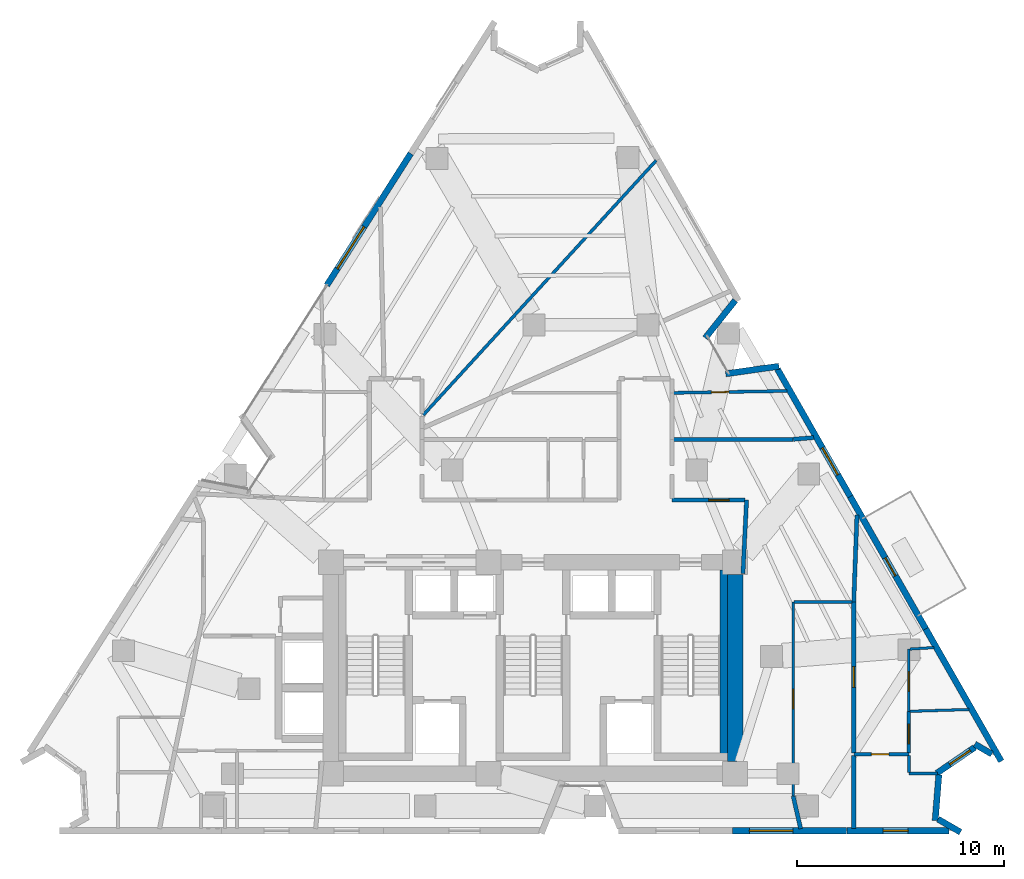
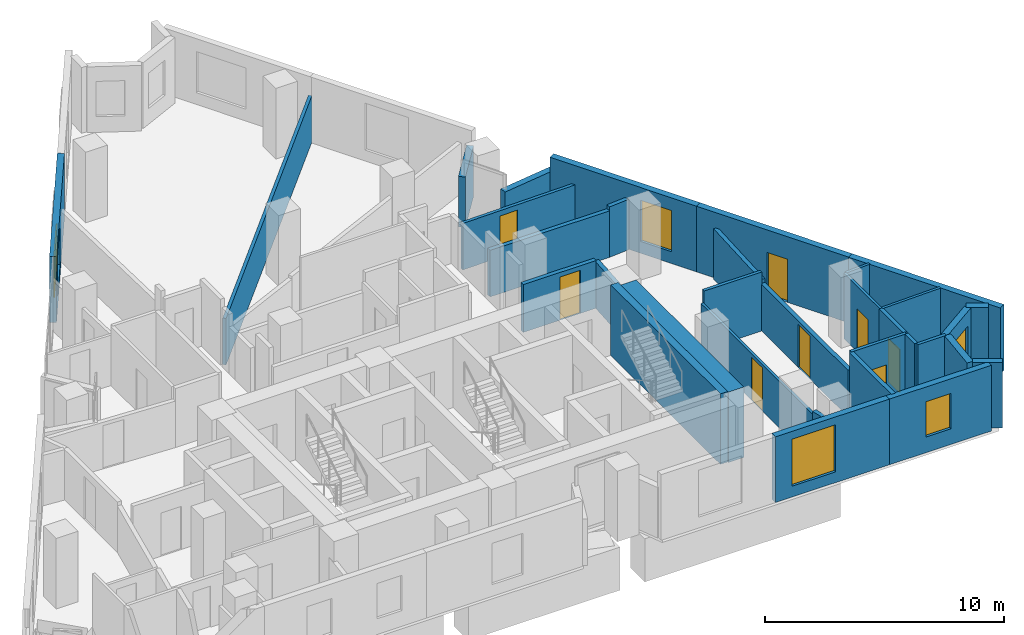
# One storey, part 9 of 12: 33 walls, 8 doors, 5 windows, 13 openings.
"""IFC4 building model written with IfcOpenShell, lengths in metres."""

from ifc_helpers import new_model, si_unit, direction, frame, frame_2d, origin, place, context, subcontext, project, spatial, rectangle, extrude, material, layer, layer_set, type_object, element, fill, save


model = new_model("IFC4")

# Units and contexts
model_context = context("Model", 3, precision=1e-05, world=origin(), true_north=direction((0.0, 1.0)))
body_context = subcontext(model_context, "Body", "Model", "MODEL_VIEW")
ifc_project = project(units=[si_unit("LENGTHUNIT", "METRE"), si_unit("AREAUNIT", "SQUARE_METRE"), si_unit("VOLUMEUNIT", "CUBIC_METRE"), si_unit("PLANEANGLEUNIT", "RADIAN"), si_unit("MASSUNIT", "GRAM", prefix="KILO")], contexts=[model_context])

# Site, building, storey
site_placement = place(None, origin())
site = spatial("IfcSite", under=ifc_project, at=site_placement, CompositionType="ELEMENT")
building_placement = place(site_placement, origin())
building = spatial("IfcBuilding", under=site, at=building_placement, Name="Almagre Mirador Tower", CompositionType="ELEMENT")
storey_placement = place(building_placement, frame((0.0, 0.0, 132.0)))
storey = spatial("IfcBuildingStorey", under=building, at=storey_placement, Name="L33", CompositionType="ELEMENT", Elevation=132.0)

# Wall, opening, window
ifc_material_1 = material(Name="Precast concrete C50/60", Category="concrete")
ifc_layer_1 = layer(ifc_material_1, 0.300048828125)
ifc_layer_set_1 = layer_set([ifc_layer_1], Name="Precast concrete C50/60")
wall_type_1 = type_object("IfcWallType", Name="WAL-EXT-300", PredefinedType="SOLIDWALL", material=ifc_layer_set_1)
wall_1_placement = place(storey_placement, frame((27.35302734375, 28.108642578125, 0.0), z_axis=(0.0, 0.0, 1.0), x_axis=(0.537126938509, 0.843501423785, 0.0)))
wall_1 = element("IfcWall", 1, at=wall_1_placement, inside=storey, type_object=wall_type_1, Name="L33 expressed almagre precast frame wall 03", PredefinedType="SOLIDWALL", context=body_context, shape_type="SweptSolid", body=[
    extrude(rectangle(XDim=7.538330078125, YDim=0.300048828125, at=frame_2d((3.76904296875, 0.0))), origin(), (0.0, 0.0, 1.0), 3.35009765625),
])
opening_1_placement = place(wall_1_placement, frame((0.949951171875, 0.0, 0.60009765625)))
opening_1 = element("IfcOpeningElement", 2, at=opening_1_placement, cuts=wall_1, Name="Opening WN-02", PredefinedType="OPENING", context=body_context, shape_type="SweptSolid", body=[
    extrude(rectangle(XDim=2.39990234375, YDim=2.10009765625, at=frame_2d((1.199951171875, 1.050048828125))), frame((0.0, 0.159902, 0.0), z_axis=(0.0, -1.0, 0.0), x_axis=(1.0, 0.0, 0.0)), (0.0, 0.0, 1.0), 0.320049),
])
ifc_material_2 = material(Name="Dark solar-control laminated hurricane glass", Category="glass")
window_type_1 = type_object("IfcWindowType", Name="WIN-2400X2100", PartitioningType="TRIPLE_PANEL_VERTICAL", PredefinedType="WINDOW", material=ifc_material_2)
window_1_placement = place(opening_1_placement, origin())
window_1 = element("IfcWindow", 3, at=window_1_placement, inside=storey, type_object=window_type_1, Name="L33 recessed hurricane window L33-UG-BT", OverallHeight=2.10009765625, OverallWidth=2.39990234375, PartitioningType="SINGLE_PANEL", PredefinedType="WINDOW", context=body_context, shape_type="SweptSolid", body=[
    extrude(rectangle(XDim=2.39990234375, YDim=2.10009765625, at=frame_2d((1.199951171875, 1.050048828125))), frame((0.0, 0.030029296875, 0.0), z_axis=(0.0, -1.0, 0.0), x_axis=(1.0, 0.0, 0.0)), (0.0, 0.0, 1.0), 0.06005859375),
])
fill(opening_1, window_1)

# Walls
wall_2_placement = place(storey_placement, frame((47.051513671875, 27.376708984375, 0.0), z_axis=(0.0, 0.0, 1.0), x_axis=(-0.623742147588, -0.781630176825, 0.0)))
element("IfcWall", 4, at=wall_2_placement, inside=storey, type_object=wall_type_1, Name="L33 expressed almagre precast frame wall 11", PredefinedType="SOLIDWALL", context=body_context, shape_type="SweptSolid", body=[
    extrude(rectangle(XDim=2.313232421875, YDim=0.300048828125, at=frame_2d((1.15673828125, 0.0))), origin(), (0.0, 0.0, 1.0), 2.574951171875),
])
wall_3_placement = place(storey_placement, frame((46.593505859375, 23.843505859375, 0.0), z_axis=(0.0, 0.0, 1.0), x_axis=(0.990207636063, 0.139602426493, 0.0)))
element("IfcWall", 5, at=wall_3_placement, inside=storey, type_object=wall_type_1, Name="L33 expressed almagre precast frame wall 12", PredefinedType="SOLIDWALL", context=body_context, shape_type="SweptSolid", body=[
    extrude(rectangle(XDim=2.593505859375, YDim=0.300048828125, at=frame_2d((1.296875, 0.0))), origin(), (0.0, 0.0, 1.0), 2.574951171875),
])

# Wall, opening, window
wall_4_placement = place(storey_placement, frame((49.08984375, 24.06884765625, 0.0), z_axis=(0.0, 0.0, 1.0), x_axis=(0.495704199243, -0.868491420137, 0.0)))
wall_4 = element("IfcWall", 6, at=wall_4_placement, inside=storey, type_object=wall_type_1, Name="L33 expressed almagre precast frame wall 13", PredefinedType="SOLIDWALL", context=body_context, shape_type="SweptSolid", body=[
    extrude(rectangle(XDim=7.076904296875, YDim=0.300048828125, at=frame_2d((3.53857421875, 0.0))), origin(), (0.0, 0.0, 1.0), 3.35009765625),
])
opening_2_placement = place(wall_4_placement, frame((4.375, 0.0, 0.60009765625)))
opening_2 = element("IfcOpeningElement", 7, at=opening_2_placement, cuts=wall_4, Name="Opening WN-03", PredefinedType="OPENING", context=body_context, shape_type="SweptSolid", body=[
    extrude(rectangle(XDim=1.5, YDim=2.10009765625, at=frame_2d((0.75, 1.050048828125))), frame((0.0, 0.159902, 0.0), z_axis=(0.0, -1.0, 0.0), x_axis=(1.0, 0.0, 0.0)), (0.0, 0.0, 1.0), 0.320049),
])
ifc_material_3 = material(Name="Dark solar-control laminated hurricane glass", Category="glass")
window_type_2 = type_object("IfcWindowType", Name="WIN-1500X2100", PartitioningType="DOUBLE_PANEL_VERTICAL", PredefinedType="WINDOW", material=ifc_material_3)
window_2_placement = place(opening_2_placement, origin())
window_2 = element("IfcWindow", 8, at=window_2_placement, inside=storey, type_object=window_type_2, Name="L33 recessed hurricane window L33-UE-BT", OverallHeight=2.10009765625, OverallWidth=1.5, PartitioningType="SINGLE_PANEL", PredefinedType="WINDOW", context=body_context, shape_type="SweptSolid", body=[
    extrude(rectangle(XDim=1.5, YDim=2.10009765625, at=frame_2d((0.75, 1.050048828125))), frame((0.0, 0.030029296875, 0.0), z_axis=(0.0, -1.0, 0.0), x_axis=(1.0, 0.0, 0.0)), (0.0, 0.0, 1.0), 0.06005859375),
])
fill(opening_2, window_2)

# Wall, opening, door
wall_5_placement = place(storey_placement, frame((52.597900390625, 17.922607421875, 0.0), z_axis=(0.0, 0.0, 1.0), x_axis=(0.495698993586, -0.868494391322, 0.0)))
wall_5 = element("IfcWall", 9, at=wall_5_placement, inside=storey, type_object=wall_type_1, Name="L33 expressed almagre precast frame wall 14", PredefinedType="SOLIDWALL", context=body_context, shape_type="SweptSolid", body=[
    extrude(rectangle(XDim=7.351806640625, YDim=0.300048828125, at=frame_2d((3.67578125, 0.0))), origin(), (0.0, 0.0, 1.0), 3.35009765625),
])
opening_3_placement = place(wall_5_placement, frame((3.4033203125, 0.0, 0.0)))
opening_3 = element("IfcOpeningElement", 10, at=opening_3_placement, cuts=wall_5, Name="Opening BD-01", PredefinedType="OPENING", context=body_context, shape_type="SweptSolid", body=[
    extrude(rectangle(XDim=1.0, YDim=2.199951171875, at=frame_2d((0.5, 1.10009765625))), frame((0.0, 0.159902, 0.0), z_axis=(0.0, -1.0, 0.0), x_axis=(1.0, 0.0, 0.0)), (0.0, 0.0, 1.0), 0.320049),
])
ifc_material_4 = material(Name="Black anodized aluminium and laminated glass", Category="aluminium")
door_type_1 = type_object("IfcDoorType", Name="DOR-BAL-1000X2200", OperationType="NOTDEFINED", PredefinedType="DOOR", material=ifc_material_4)
door_1_placement = place(opening_3_placement, origin())
door_1 = element("IfcDoor", 11, at=door_1_placement, inside=storey, type_object=door_type_1, Name="DR-1065 L33 east balcony glazed door 2", OperationType="SINGLE_SWING_RIGHT", OverallHeight=2.199951171875, OverallWidth=1.0, PredefinedType="DOOR", context=body_context, shape_type="SweptSolid", body=[
    extrude(rectangle(XDim=1.0, YDim=2.199951171875, at=frame_2d((0.5, 1.10009765625))), frame((0.0, 0.02490234375, 0.0), z_axis=(0.0, -1.0, 0.0), x_axis=(1.0, 0.0, 0.0)), (0.0, 0.0, 1.0), 0.050048828125),
])
fill(opening_3, door_1)

# Walls
wall_6_placement = place(storey_placement, frame((56.2421875, 11.53759765625, 0.0), z_axis=(0.0, 0.0, 1.0), x_axis=(0.495684697404, -0.868502550808, 0.0)))
element("IfcWall", 12, at=wall_6_placement, inside=storey, type_object=wall_type_1, Name="L33 expressed almagre precast frame wall 15", PredefinedType="SOLIDWALL", context=body_context, shape_type="SweptSolid", body=[
    extrude(rectangle(XDim=7.35205078125, YDim=0.300048828125, at=frame_2d((3.676025390625, 0.0))), origin(), (0.0, 0.0, 1.0), 3.35009765625),
])
wall_7_placement = place(storey_placement, frame((59.432373046875, 5.49755859375, 0.0), z_axis=(0.0, 0.0, 1.0), x_axis=(-0.864584698218, 0.502487113871, 0.0)))
element("IfcWall", 13, at=wall_7_placement, inside=storey, type_object=wall_type_1, Name="L33 expressed almagre precast frame wall 16", PredefinedType="SOLIDWALL", context=body_context, shape_type="SweptSolid", body=[
    extrude(rectangle(XDim=0.954833984375, YDim=0.300048828125, at=frame_2d((0.4775390625, 0.0))), origin(), (0.0, 0.0, 1.0), 3.35009765625),
])

# Wall, opening, window
wall_8_placement = place(storey_placement, frame((58.6083984375, 5.8251953125, 0.0), z_axis=(0.0, 0.0, 1.0), x_axis=(-0.8261738865, -0.563415219234, 0.0)))
wall_8 = element("IfcWall", 14, at=wall_8_placement, inside=storey, type_object=wall_type_1, Name="L33 expressed almagre precast frame wall 17", PredefinedType="SOLIDWALL", context=body_context, shape_type="SweptSolid", body=[
    extrude(rectangle(XDim=2.222412109375, YDim=0.300048828125, at=frame_2d((1.111328125, 0.0))), origin(), (0.0, 0.0, 1.0), 3.35009765625),
])
opening_4_placement = place(wall_8_placement, frame((0.264892578125, 0.0, 0.800048828125)))
opening_4 = element("IfcOpeningElement", 15, at=opening_4_placement, cuts=wall_8, Name="Opening WN-04", PredefinedType="OPENING", context=body_context, shape_type="SweptSolid", body=[
    extrude(rectangle(XDim=1.199951171875, YDim=1.800048828125, at=frame_2d((0.60009765625, 0.89990234375))), frame((0.0, 0.159902, 0.0), z_axis=(0.0, -1.0, 0.0), x_axis=(1.0, 0.0, 0.0)), (0.0, 0.0, 1.0), 0.320049),
])
ifc_material_5 = material(Name="Dark solar-control laminated hurricane glass", Category="glass")
window_type_3 = type_object("IfcWindowType", Name="WIN-1200X1800", PartitioningType="SINGLE_PANEL", PredefinedType="WINDOW", material=ifc_material_5)
window_3_placement = place(opening_4_placement, origin())
window_3 = element("IfcWindow", 16, at=window_3_placement, inside=storey, type_object=window_type_3, Name="L33 recessed hurricane window L33-UD-ST1", OverallHeight=1.800048828125, OverallWidth=1.199951171875, PartitioningType="SINGLE_PANEL", PredefinedType="WINDOW", context=body_context, shape_type="SweptSolid", body=[
    extrude(rectangle(XDim=1.199951171875, YDim=1.800048828125, at=frame_2d((0.60009765625, 0.89990234375))), frame((0.0, 0.030029296875, 0.0), z_axis=(0.0, -1.0, 0.0), x_axis=(1.0, 0.0, 0.0)), (0.0, 0.0, 1.0), 0.06005859375),
])
fill(opening_4, window_3)

# Walls
wall_9_placement = place(storey_placement, frame((56.8759765625, 4.50244140625, 0.0), z_axis=(0.0, 0.0, 1.0), x_axis=(-0.079981668757, -0.996796334595, 0.0)))
element("IfcWall", 17, at=wall_9_placement, inside=storey, type_object=wall_type_1, Name="L33 expressed almagre precast frame wall 18", PredefinedType="SOLIDWALL", context=body_context, shape_type="SweptSolid", body=[
    extrude(rectangle(XDim=2.216064453125, YDim=0.300048828125, at=frame_2d((1.10791015625, 0.0))), origin(), (0.0, 0.0, 1.0), 3.35009765625),
])
wall_10_placement = place(storey_placement, frame((56.83544921875, 2.360107421875, 0.0), z_axis=(0.0, 0.0, 1.0), x_axis=(0.864799842676, -0.502116751471, 0.0)))
element("IfcWall", 18, at=wall_10_placement, inside=storey, type_object=wall_type_1, Name="L33 expressed almagre precast frame wall 19", PredefinedType="SOLIDWALL", context=body_context, shape_type="SweptSolid", body=[
    extrude(rectangle(XDim=1.25537109375, YDim=0.300048828125, at=frame_2d((0.627685546875, 0.0))), origin(), (0.0, 0.0, 1.0), 3.35009765625),
])

# Wall, opening, window
wall_11_placement = place(storey_placement, frame((57.35498046875, 1.800048828125, 0.0), z_axis=(0.0, 0.0, 1.0), x_axis=(-1.0, 0.0, 0.0)))
wall_11 = element("IfcWall", 19, at=wall_11_placement, inside=storey, type_object=wall_type_1, Name="L33 expressed almagre precast frame wall 20", PredefinedType="SOLIDWALL", context=body_context, shape_type="SweptSolid", body=[
    extrude(rectangle(XDim=4.923095703125, YDim=0.300048828125, at=frame_2d((2.46142578125, 0.0))), origin(), (0.0, 0.0, 1.0), 3.35009765625),
])
opening_5_placement = place(wall_11_placement, frame((1.965087890625, 0.0, 0.800048828125)))
opening_5 = element("IfcOpeningElement", 20, at=opening_5_placement, cuts=wall_11, Name="Opening WN-04", PredefinedType="OPENING", context=body_context, shape_type="SweptSolid", body=[
    extrude(rectangle(XDim=1.199951171875, YDim=1.800048828125, at=frame_2d((0.60009765625, 0.89990234375))), frame((0.0, 0.159902, 0.0), z_axis=(0.0, -1.0, 0.0), x_axis=(1.0, 0.0, 0.0)), (0.0, 0.0, 1.0), 0.320049),
])
window_4_placement = place(opening_5_placement, origin())
window_4 = element("IfcWindow", 21, at=window_4_placement, inside=storey, type_object=window_type_3, Name="L33 recessed hurricane window L33-UD-HB", OverallHeight=1.800048828125, OverallWidth=1.199951171875, PartitioningType="SINGLE_PANEL", PredefinedType="WINDOW", context=body_context, shape_type="SweptSolid", body=[
    extrude(rectangle(XDim=1.199951171875, YDim=1.800048828125, at=frame_2d((0.60009765625, 0.89990234375))), frame((0.0, 0.030029296875, 0.0), z_axis=(0.0, -1.0, 0.0), x_axis=(1.0, 0.0, 0.0)), (0.0, 0.0, 1.0), 0.06005859375),
])
fill(opening_5, window_4)

wall_12_placement = place(storey_placement, frame((52.431884765625, 1.800048828125, 0.0), z_axis=(0.0, 0.0, 1.0), x_axis=(-1.0, 0.0, 0.0)))
wall_12 = element("IfcWall", 22, at=wall_12_placement, inside=storey, type_object=wall_type_1, Name="L33 expressed almagre precast frame wall 21", PredefinedType="SOLIDWALL", context=body_context, shape_type="SweptSolid", body=[
    extrude(rectangle(XDim=5.5078125, YDim=0.300048828125, at=frame_2d((2.75390625, 0.0))), origin(), (0.0, 0.0, 1.0), 3.35009765625),
])
opening_6_placement = place(wall_12_placement, frame((2.60009765625, 0.0, 0.550048828125)))
opening_6 = element("IfcOpeningElement", 23, at=opening_6_placement, cuts=wall_12, Name="Opening WN-05", PredefinedType="OPENING", context=body_context, shape_type="SweptSolid", body=[
    extrude(rectangle(XDim=2.10009765625, YDim=2.39990234375, at=frame_2d((1.050048828125, 1.199951171875))), frame((0.0, 0.159902, 0.0), z_axis=(0.0, -1.0, 0.0), x_axis=(1.0, 0.0, 0.0)), (0.0, 0.0, 1.0), 0.320049),
])
ifc_material_6 = material(Name="Dark solar-control laminated hurricane glass", Category="glass")
window_type_4 = type_object("IfcWindowType", Name="WIN-2100X2400", PartitioningType="DOUBLE_PANEL_VERTICAL", PredefinedType="WINDOW", material=ifc_material_6)
window_5_placement = place(opening_6_placement, origin())
window_5 = element("IfcWindow", 24, at=window_5_placement, inside=storey, type_object=window_type_4, Name="L33 recessed hurricane window L33-RST-C", OverallHeight=2.39990234375, OverallWidth=2.10009765625, PartitioningType="SINGLE_PANEL", PredefinedType="WINDOW", context=body_context, shape_type="SweptSolid", body=[
    extrude(rectangle(XDim=2.10009765625, YDim=2.39990234375, at=frame_2d((1.050048828125, 1.199951171875))), frame((0.0, 0.030029296875, 0.0), z_axis=(0.0, -1.0, 0.0), x_axis=(1.0, 0.0, 0.0)), (0.0, 0.0, 1.0), 0.06005859375),
])
fill(opening_6, window_5)

# Wall, opening, door
ifc_material_7 = material(Name="Gypsum acoustic stud partition", Category="other")
ifc_layer_2 = layer(ifc_material_7, 0.125)
ifc_layer_set_2 = layer_set([ifc_layer_2], Name="Gypsum acoustic stud partition")
wall_type_2 = type_object("IfcWallType", Name="WAL-PRT-125-UTL", PredefinedType="PARTITIONING", material=ifc_layer_set_2)
wall_13_placement = place(storey_placement, frame((55.429931640625, 7.56005859375, 0.0), z_axis=(0.0, 0.0, 1.0), x_axis=(0.0, 1.0, 0.0)))
wall_13 = element("IfcWall", 25, at=wall_13_placement, inside=storey, type_object=wall_type_2, Name="L33 interior partition 046", PredefinedType="PARTITIONING", context=body_context, shape_type="SweptSolid", body=[
    extrude(rectangle(XDim=3.0, YDim=0.125, at=frame_2d((1.5, 0.0))), origin(), (0.0, 0.0, 1.0), 3.35009765625),
])
opening_7_placement = place(wall_13_placement, frame((0.966064453125, 0.0, 0.0)))
opening_7 = element("IfcOpeningElement", 26, at=opening_7_placement, cuts=wall_13, Name="Opening UD-01", PredefinedType="OPENING", context=body_context, shape_type="SweptSolid", body=[
    extrude(rectangle(XDim=0.949951171875, YDim=2.199951171875, at=frame_2d((0.47509765625, 1.10009765625))), frame((0.0, 0.0725, 0.0), z_axis=(0.0, -1.0, 0.0), x_axis=(1.0, 0.0, 0.0)), (0.0, 0.0, 1.0), 0.145),
])
ifc_material_8 = material(Name="Solid American walnut timber", Category="wood")
door_type_2 = type_object("IfcDoorType", Name="DOR-UNR-950X2200", OperationType="NOTDEFINED", PredefinedType="DOOR", material=ifc_material_8)
door_2_placement = place(opening_7_placement, origin())
door_2 = element("IfcDoor", 27, at=door_2_placement, inside=storey, type_object=door_type_2, Name="DR-1078 L33 interior door L33-UD-ST to L33-UD-KT", OperationType="SINGLE_SWING_RIGHT", OverallHeight=2.199951171875, OverallWidth=0.949951171875, PredefinedType="DOOR", context=body_context, shape_type="SweptSolid", body=[
    extrude(rectangle(XDim=0.949951171875, YDim=2.199951171875, at=frame_2d((0.47509765625, 1.10009765625))), frame((0.0, 0.02490234375, 0.0), z_axis=(0.0, -1.0, 0.0), x_axis=(1.0, 0.0, 0.0)), (0.0, 0.0, 1.0), 0.050048828125),
])
fill(opening_7, door_2)

# Walls
wall_14_placement = place(storey_placement, frame((55.477294921875, 10.5625, 0.0), z_axis=(0.0, 0.0, 1.0), x_axis=(0.998012457517, 0.063016939315, 0.0)))
element("IfcWall", 28, at=wall_14_placement, inside=storey, type_object=wall_type_2, Name="L33 interior partition 047", PredefinedType="PARTITIONING", context=body_context, shape_type="SweptSolid", body=[
    extrude(rectangle(XDim=1.166015625, YDim=0.125, at=frame_2d((0.5830078125, 0.0))), origin(), (0.0, 0.0, 1.0), 3.35009765625),
])
wall_15_placement = place(storey_placement, frame((55.4775390625, 7.561279296875, 0.0), z_axis=(0.0, 0.0, 1.0), x_axis=(0.99954031689, 0.030317567712, 0.0)))
element("IfcWall", 29, at=wall_15_placement, inside=storey, type_object=wall_type_2, Name="L33 interior partition 054", PredefinedType="PARTITIONING", context=body_context, shape_type="SweptSolid", body=[
    extrude(rectangle(XDim=2.858642578125, YDim=0.125, at=frame_2d((1.42919921875, 0.0))), origin(), (0.0, 0.0, 1.0), 3.35009765625),
])

# Wall, opening, door
wall_16_placement = place(storey_placement, frame((49.85009765625, 3.469970703125, 0.0), z_axis=(0.0, 0.0, 1.0), x_axis=(0.0, 1.0, 0.0)))
wall_16 = element("IfcWall", 30, at=wall_16_placement, inside=storey, type_object=wall_type_2, Name="L33 interior partition 057", PredefinedType="PARTITIONING", context=body_context, shape_type="SweptSolid", body=[
    extrude(rectangle(XDim=9.360107421875, YDim=0.125, at=frame_2d((4.68017578125, 0.0))), origin(), (0.0, 0.0, 1.0), 2.3720703125),
])
opening_8_placement = place(wall_16_placement, frame((4.205078125, 0.0, 0.0)))
opening_8 = element("IfcOpeningElement", 31, at=opening_8_placement, cuts=wall_16, Name="Opening UD-01", PredefinedType="OPENING", context=body_context, shape_type="SweptSolid", body=[
    extrude(rectangle(XDim=0.949951171875, YDim=2.199951171875, at=frame_2d((0.47509765625, 1.10009765625))), frame((0.0, 0.0725, 0.0), z_axis=(0.0, -1.0, 0.0), x_axis=(1.0, 0.0, 0.0)), (0.0, 0.0, 1.0), 0.145),
])
door_3_placement = place(opening_8_placement, origin())
door_3 = element("IfcDoor", 32, at=door_3_placement, inside=storey, type_object=door_type_2, Name="DR-1082 L33 interior door L33-UE-ST to L33-UE-KT", OperationType="SINGLE_SWING_RIGHT", OverallHeight=2.199951171875, OverallWidth=0.949951171875, PredefinedType="DOOR", context=body_context, shape_type="SweptSolid", body=[
    extrude(rectangle(XDim=0.949951171875, YDim=2.199951171875, at=frame_2d((0.47509765625, 1.10009765625))), frame((0.0, 0.02490234375, 0.0), z_axis=(0.0, -1.0, 0.0), x_axis=(1.0, 0.0, 0.0)), (0.0, 0.0, 1.0), 0.050048828125),
])
fill(opening_8, door_3)

ifc_material_9 = material(Name="Gypsum acoustic stud partition", Category="other")
ifc_layer_3 = layer(ifc_material_9, 0.14990234375)
ifc_layer_set_3 = layer_set([ifc_layer_3], Name="Gypsum acoustic stud partition")
wall_type_3 = type_object("IfcWallType", Name="WAL-PRT-150-STD", PredefinedType="PARTITIONING", material=ifc_layer_set_3)
wall_17_placement = place(storey_placement, frame((52.77001953125, 5.489990234375, 0.0), z_axis=(0.0, 0.0, 1.0), x_axis=(1.0, 0.0, 0.0)))
wall_17 = element("IfcWall", 33, at=wall_17_placement, inside=storey, type_object=wall_type_3, Name="L33 interior partition 045", PredefinedType="PARTITIONING", context=body_context, shape_type="SweptSolid", body=[
    extrude(rectangle(XDim=2.659912109375, YDim=0.14990234375, at=frame_2d((1.330078125, 0.0))), origin(), (0.0, 0.0, 1.0), 3.35009765625),
])
opening_9_placement = place(wall_17_placement, frame((0.84619140625, 0.0, 0.0)))
opening_9 = element("IfcOpeningElement", 34, at=opening_9_placement, cuts=wall_17, Name="Opening UD-04", PredefinedType="OPENING", context=body_context, shape_type="SweptSolid", body=[
    extrude(rectangle(XDim=0.85009765625, YDim=2.10009765625, at=frame_2d((0.425048828125, 1.050048828125))), frame((0.0, 0.084951, 0.0), z_axis=(0.0, -1.0, 0.0), x_axis=(1.0, 0.0, 0.0)), (0.0, 0.0, 1.0), 0.169902),
])
ifc_material_10 = material(Name="Moisture-resistant oak timber", Category="wood")
door_type_3 = type_object("IfcDoorType", Name="DOR-UNR-850X2100", OperationType="NOTDEFINED", PredefinedType="DOOR", material=ifc_material_10)
door_4_placement = place(opening_9_placement, origin())
door_4 = element("IfcDoor", 35, at=door_4_placement, inside=storey, type_object=door_type_3, Name="DR-1080 L33 interior door L33-UD-ST to L33-UD-HB", OperationType="SINGLE_SWING_RIGHT", OverallHeight=2.10009765625, OverallWidth=0.85009765625, PredefinedType="DOOR", context=body_context, shape_type="SweptSolid", body=[
    extrude(rectangle(XDim=0.85009765625, YDim=2.10009765625, at=frame_2d((0.425048828125, 1.050048828125))), frame((0.0, 0.02490234375, 0.0), z_axis=(0.0, -1.0, 0.0), x_axis=(1.0, 0.0, 0.0)), (0.0, 0.0, 1.0), 0.050048828125),
])
fill(opening_9, door_4)

# Walls
wall_18_placement = place(storey_placement, frame((56.81494140625, 4.56494140625, 0.0), z_axis=(0.0, 0.0, 1.0), x_axis=(-0.999993785583, -0.003525449623, 0.0)))
element("IfcWall", 36, at=wall_18_placement, inside=storey, type_object=wall_type_3, Name="L33 interior partition 051", PredefinedType="PARTITIONING", context=body_context, shape_type="SweptSolid", body=[
    extrude(rectangle(XDim=1.385009765625, YDim=0.14990234375, at=frame_2d((0.6923828125, 0.0))), origin(), (0.0, 0.0, 1.0), 3.35009765625),
])
wall_19_placement = place(storey_placement, frame((55.429931640625, 4.6201171875, 0.0), z_axis=(0.0, 0.0, 1.0), x_axis=(0.0, 1.0, 0.0)))
element("IfcWall", 37, at=wall_19_placement, inside=storey, type_object=wall_type_3, Name="L33 interior partition 052", PredefinedType="PARTITIONING", context=body_context, shape_type="SweptSolid", body=[
    extrude(rectangle(XDim=0.809814453125, YDim=0.14990234375, at=frame_2d((0.40478515625, 0.0))), origin(), (0.0, 0.0, 1.0), 3.35009765625),
])
wall_20_placement = place(storey_placement, frame((49.8974609375, 12.830078125, 0.0), z_axis=(0.0, 0.0, 1.0), x_axis=(1.0, 0.0, 0.0)))
element("IfcWall", 38, at=wall_20_placement, inside=storey, type_object=wall_type_3, Name="L33 interior partition 059", PredefinedType="PARTITIONING", context=body_context, shape_type="SweptSolid", body=[
    extrude(rectangle(XDim=2.78759765625, YDim=0.14990234375, at=frame_2d((1.393798828125, 0.0))), origin(), (0.0, 0.0, 1.0), 3.010009765625),
])

# Wall, opening, door
wall_21_placement = place(storey_placement, frame((44.0849609375, 22.921142578125, 0.0), z_axis=(0.0, 0.0, 1.0), x_axis=(0.999859312972, 0.016773618064, 0.0)))
wall_21 = element("IfcWall", 39, at=wall_21_placement, inside=storey, type_object=wall_type_3, Name="L33 interior partition 072", PredefinedType="PARTITIONING", context=body_context, shape_type="SweptSolid", body=[
    extrude(rectangle(XDim=5.47265625, YDim=0.14990234375, at=frame_2d((2.736328125, 0.0))), origin(), (0.0, 0.0, 1.0), 2.3720703125),
])
opening_10_placement = place(wall_21_placement, frame((1.813720703125, 0.0, 0.0)))
opening_10 = element("IfcOpeningElement", 40, at=opening_10_placement, cuts=wall_21, Name="Opening UD-04", PredefinedType="OPENING", context=body_context, shape_type="SweptSolid", body=[
    extrude(rectangle(XDim=0.85009765625, YDim=2.10009765625, at=frame_2d((0.425048828125, 1.050048828125))), frame((0.0, 0.084951, 0.0), z_axis=(0.0, -1.0, 0.0), x_axis=(1.0, 0.0, 0.0)), (0.0, 0.0, 1.0), 0.169902),
])
door_5_placement = place(opening_10_placement, origin())
door_5 = element("IfcDoor", 41, at=door_5_placement, inside=storey, type_object=door_type_3, Name="DR-1091 L33 interior door L33-UH-ST to L33-UH-BT", OperationType="SINGLE_SWING_RIGHT", OverallHeight=2.10009765625, OverallWidth=0.85009765625, PredefinedType="DOOR", context=body_context, shape_type="SweptSolid", body=[
    extrude(rectangle(XDim=0.85009765625, YDim=2.10009765625, at=frame_2d((0.425048828125, 1.050048828125))), frame((0.0, 0.02490234375, 0.0), z_axis=(0.0, -1.0, 0.0), x_axis=(1.0, 0.0, 0.0)), (0.0, 0.0, 1.0), 0.050048828125),
])
fill(opening_10, door_5)

# Wall
wall_22_placement = place(storey_placement, frame((32.00732421875, 21.852783203125, 0.0), z_axis=(0.0, 0.0, 1.0), x_axis=(0.674958914196, 0.73785531383, 0.0)))
element("IfcWall", 42, at=wall_22_placement, inside=storey, type_object=wall_type_3, Name="L33 interior partition 076", PredefinedType="PARTITIONING", context=body_context, shape_type="SweptSolid", body=[
    extrude(rectangle(XDim=16.640625, YDim=0.14990234375, at=frame_2d((8.3203125, 0.0))), origin(), (0.0, 0.0, 1.0), 2.3720703125),
])

# Wall, opening, door
ifc_material_11 = material(Name="Gypsum acoustic stud partition", Category="other")
ifc_layer_4 = layer(ifc_material_11, 0.175048828125)
ifc_layer_set_4 = layer_set([ifc_layer_4], Name="Gypsum acoustic stud partition")
wall_type_4 = type_object("IfcWallType", Name="WAL-PRT-175-AC", PredefinedType="PARTITIONING", material=ifc_layer_set_4)
wall_23_placement = place(storey_placement, frame((55.429931640625, 5.550048828125, 0.0), z_axis=(0.0, 0.0, 1.0), x_axis=(0.0, 1.0, 0.0)))
wall_23 = element("IfcWall", 43, at=wall_23_placement, inside=storey, type_object=wall_type_4, Name="L33 interior partition 048", PredefinedType="PARTITIONING", context=body_context, shape_type="SweptSolid", body=[
    extrude(rectangle(XDim=2.010009765625, YDim=0.175048828125, at=frame_2d((1.0048828125, 0.0))), origin(), (0.0, 0.0, 1.0), 3.35009765625),
])
opening_11_placement = place(wall_23_placement, frame((0.43994140625, 0.0, 0.0)))
opening_11 = element("IfcOpeningElement", 44, at=opening_11_placement, cuts=wall_23, Name="Opening UD-01", PredefinedType="OPENING", context=body_context, shape_type="SweptSolid", body=[
    extrude(rectangle(XDim=0.949951171875, YDim=2.199951171875, at=frame_2d((0.47509765625, 1.10009765625))), frame((0.0, 0.097402, 0.0), z_axis=(0.0, -1.0, 0.0), x_axis=(1.0, 0.0, 0.0)), (0.0, 0.0, 1.0), 0.195049),
])
door_6_placement = place(opening_11_placement, origin())
door_6 = element("IfcDoor", 45, at=door_6_placement, inside=storey, type_object=door_type_2, Name="DR-1079 L33 interior door L33-UD-ST to L33-UD-ST1", OperationType="SINGLE_SWING_LEFT", OverallHeight=2.199951171875, OverallWidth=0.949951171875, PredefinedType="DOOR", context=body_context, shape_type="SweptSolid", body=[
    extrude(rectangle(XDim=0.949951171875, YDim=2.199951171875, at=frame_2d((0.47509765625, 1.10009765625))), frame((0.0, 0.02490234375, 0.0), z_axis=(0.0, -1.0, 0.0), x_axis=(1.0, 0.0, 0.0)), (0.0, 0.0, 1.0), 0.050048828125),
])
fill(opening_11, door_6)

# Wall
ifc_material_12 = material(Name="Gypsum acoustic stud partition", Category="other")
ifc_layer_5 = layer(ifc_material_12, 0.199951171875)
ifc_layer_set_5 = layer_set([ifc_layer_5], Name="Gypsum acoustic stud partition")
wall_type_5 = type_object("IfcWallType", Name="WAL-PRT-200-EI60", PredefinedType="PARTITIONING", material=ifc_layer_set_5)
wall_24_placement = place(storey_placement, frame((47.425048828125, 14.199951171875, 0.0), z_axis=(0.0, 0.0, 1.0), x_axis=(0.049249016071, 0.998786530954, 0.0)))
element("IfcWall", 46, at=wall_24_placement, inside=storey, type_object=wall_type_5, Name="L33 interior partition 004", PredefinedType="PARTITIONING", context=body_context, shape_type="SweptSolid", body=[
    extrude(rectangle(XDim=3.554443359375, YDim=0.199951171875, at=frame_2d((1.77734375, 0.0))), origin(), (0.0, 0.0, 1.0), 2.3720703125),
])

# Wall, opening, door
wall_25_placement = place(storey_placement, frame((47.514892578125, 17.75, 0.0), z_axis=(0.0, 0.0, 1.0), x_axis=(-1.0, 0.0, 0.0)))
wall_25 = element("IfcWall", 47, at=wall_25_placement, inside=storey, type_object=wall_type_5, Name="L33 interior partition 005", PredefinedType="PARTITIONING", context=body_context, shape_type="SweptSolid", body=[
    extrude(rectangle(XDim=3.514892578125, YDim=0.199951171875, at=frame_2d((1.75732421875, 0.0))), origin(), (0.0, 0.0, 1.0), 2.43603515625),
])
opening_12_placement = place(wall_25_placement, frame((0.7509765625, 0.0, 0.0)))
opening_12 = element("IfcOpeningElement", 48, at=opening_12_placement, cuts=wall_25, Name="Opening ID-01", PredefinedType="OPENING", context=body_context, shape_type="SweptSolid", body=[
    extrude(rectangle(XDim=1.0, YDim=2.199951171875, at=frame_2d((0.5, 1.10009765625))), frame((0.0, 0.110098, 0.0), z_axis=(0.0, -1.0, 0.0), x_axis=(1.0, 0.0, 0.0)), (0.0, 0.0, 1.0), 0.219951),
])
ifc_material_13 = material(Name="Fire-rated walnut timber", Category="wood")
door_type_4 = type_object("IfcDoorType", Name="DOR-FD60-1000X2200", OperationType="NOTDEFINED", PredefinedType="DOOR", material=ifc_material_13)
door_7_placement = place(opening_12_placement, origin())
door_7 = element("IfcDoor", 49, at=door_7_placement, inside=storey, type_object=door_type_4, Name="DR-1081 L33 interior door L33-RCOR to L33-UE-ST", OperationType="SINGLE_SWING_LEFT", OverallHeight=2.199951171875, OverallWidth=1.0, PredefinedType="DOOR", context=body_context, shape_type="SweptSolid", body=[
    extrude(rectangle(XDim=1.0, YDim=2.199951171875, at=frame_2d((0.5, 1.10009765625))), frame((0.0, 0.02490234375, 0.0), z_axis=(0.0, -1.0, 0.0), x_axis=(1.0, 0.0, 0.0)), (0.0, 0.0, 1.0), 0.050048828125),
])
fill(opening_12, door_7)

# Walls
wall_26_placement = place(storey_placement, frame((50.208984375, 1.89599609375, 0.0), z_axis=(0.0, 0.0, 1.0), x_axis=(-0.222307375142, 0.97497663098, 0.0)))
element("IfcWall", 50, at=wall_26_placement, inside=storey, type_object=wall_type_5, Name="L33 interior partition 044", PredefinedType="PARTITIONING", context=body_context, shape_type="SweptSolid", body=[
    extrude(rectangle(XDim=1.6142578125, YDim=0.199951171875, at=frame_2d((0.80712890625, 0.0))), origin(), (0.0, 0.0, 1.0), 2.570068359375),
])
wall_27_placement = place(storey_placement, frame((52.925048828125, 17.034912109375, 0.0), z_axis=(0.0, 0.0, 1.0), x_axis=(-0.036844269136, -0.999321019409, 0.0)))
element("IfcWall", 51, at=wall_27_placement, inside=storey, type_object=wall_type_5, Name="L33 interior partition 049", PredefinedType="PARTITIONING", context=body_context, shape_type="SweptSolid", body=[
    extrude(rectangle(XDim=4.207763671875, YDim=0.199951171875, at=frame_2d((2.10400390625, 0.0))), origin(), (0.0, 0.0, 1.0), 2.570068359375),
])

# Wall, opening, door
wall_28_placement = place(storey_placement, frame((52.77001953125, 12.830078125, 0.0), z_axis=(0.0, 0.0, 1.0), x_axis=(0.0, -1.0, 0.0)))
wall_28 = element("IfcWall", 52, at=wall_28_placement, inside=storey, type_object=wall_type_5, Name="L33 interior partition 050", PredefinedType="PARTITIONING", context=body_context, shape_type="SweptSolid", body=[
    extrude(rectangle(XDim=7.280029296875, YDim=0.199951171875, at=frame_2d((3.64013671875, 0.0))), origin(), (0.0, 0.0, 1.0), 2.3720703125),
])
opening_13_placement = place(wall_28_placement, frame((3.110595703125, 0.0, 0.0)))
opening_13 = element("IfcOpeningElement", 53, at=opening_13_placement, cuts=wall_28, Name="Opening ID-01", PredefinedType="OPENING", context=body_context, shape_type="SweptSolid", body=[
    extrude(rectangle(XDim=1.0, YDim=2.199951171875, at=frame_2d((0.5, 1.10009765625))), frame((0.0, 0.110098, 0.0), z_axis=(0.0, -1.0, 0.0), x_axis=(1.0, 0.0, 0.0)), (0.0, 0.0, 1.0), 0.219951),
])
door_8_placement = place(opening_13_placement, origin())
door_8 = element("IfcDoor", 54, at=door_8_placement, inside=storey, type_object=door_type_4, Name="DR-1092 L33 interior door L33-UD-ST to L33-UE-KT", OperationType="SINGLE_SWING_LEFT", OverallHeight=2.199951171875, OverallWidth=1.0, PredefinedType="DOOR", context=body_context, shape_type="SweptSolid", body=[
    extrude(rectangle(XDim=1.0, YDim=2.199951171875, at=frame_2d((0.5, 1.10009765625))), frame((0.0, 0.02490234375, 0.0), z_axis=(0.0, -1.0, 0.0), x_axis=(1.0, 0.0, 0.0)), (0.0, 0.0, 1.0), 0.050048828125),
])
fill(opening_13, door_8)

# Walls
wall_29_placement = place(storey_placement, frame((52.77001953125, 5.429931640625, 0.0), z_axis=(0.0, 0.0, 1.0), x_axis=(0.0, -1.0, 0.0)))
element("IfcWall", 55, at=wall_29_placement, inside=storey, type_object=wall_type_5, Name="L33 interior partition 053", PredefinedType="PARTITIONING", context=body_context, shape_type="SweptSolid", body=[
    extrude(rectangle(XDim=3.530029296875, YDim=0.199951171875, at=frame_2d((1.76513671875, 0.0))), origin(), (0.0, 0.0, 1.0), 3.35009765625),
])
wall_30_placement = place(storey_placement, frame((49.85009765625, 20.679931640625, 0.0), z_axis=(0.0, 0.0, 1.0), x_axis=(-1.0, 0.0, 0.0)))
element("IfcWall", 56, at=wall_30_placement, inside=storey, type_object=wall_type_5, Name="L33 interior partition 058", PredefinedType="PARTITIONING", context=body_context, shape_type="SweptSolid", body=[
    extrude(rectangle(XDim=5.76513671875, YDim=0.199951171875, at=frame_2d((2.882568359375, 0.0))), origin(), (0.0, 0.0, 1.0), 2.3720703125),
])
wall_31_placement = place(storey_placement, frame((50.840087890625, 20.764892578125, 0.0), z_axis=(0.0, 0.0, 1.0), x_axis=(-0.996337683454, -0.085505675423, 0.0)))
element("IfcWall", 57, at=wall_31_placement, inside=storey, type_object=wall_type_5, Name="L33 interior partition 060", PredefinedType="PARTITIONING", context=body_context, shape_type="SweptSolid", body=[
    extrude(rectangle(XDim=0.99365234375, YDim=0.199951171875, at=frame_2d((0.496826171875, 0.0))), origin(), (0.0, 0.0, 1.0), 2.570068359375),
])
ifc_material_14 = material(Name="Concrete C60/75", Category="concrete")
ifc_layer_6 = layer(ifc_material_14, 0.35009765625)
ifc_layer_set_6 = layer_set([ifc_layer_6], Name="Concrete C60/75")
wall_type_6 = type_object("IfcWallType", Name="WAL-SHF-350", PredefinedType="SOLIDWALL", material=ifc_layer_set_6)
wall_32_placement = place(storey_placement, frame((46.5, 5.199951171875, 0.0), z_axis=(0.0, 0.0, 1.0), x_axis=(0.0, 1.0, 0.0)))
element("IfcWall", 58, at=wall_32_placement, inside=storey, type_object=wall_type_6, Name="L33 shaft wall ST3-E", PredefinedType="SOLIDWALL", context=body_context, shape_type="SweptSolid", body=[
    extrude(rectangle(XDim=9.175048828125, YDim=0.35009765625, at=frame_2d((4.58740234375, 0.0))), origin(), (0.0, 0.0, 1.0), 3.60009765625),
])
ifc_material_15 = material(Name="Concrete C60/75", Category="concrete")
ifc_layer_7 = layer(ifc_material_15, 0.75)
ifc_layer_set_7 = layer_set([ifc_layer_7], Name="Concrete C60/75")
wall_type_7 = type_object("IfcWallType", Name="WAL-SHR-750", PredefinedType="SHEAR", material=ifc_layer_set_7)
wall_33_placement = place(storey_placement, frame((47.050048828125, 5.14990234375, 0.0), z_axis=(0.0, 0.0, 1.0), x_axis=(0.0, 1.0, 0.0)))
element("IfcWall", 59, at=wall_33_placement, inside=storey, type_object=wall_type_7, Name="L33 core shear wall E1", PredefinedType="SHEAR", context=body_context, shape_type="SweptSolid", body=[
    extrude(rectangle(XDim=9.0, YDim=0.75, at=frame_2d((4.5, 0.0))), origin(), (0.0, 0.0, 1.0), 3.60009765625),
])

save(model, "model.ifc")
